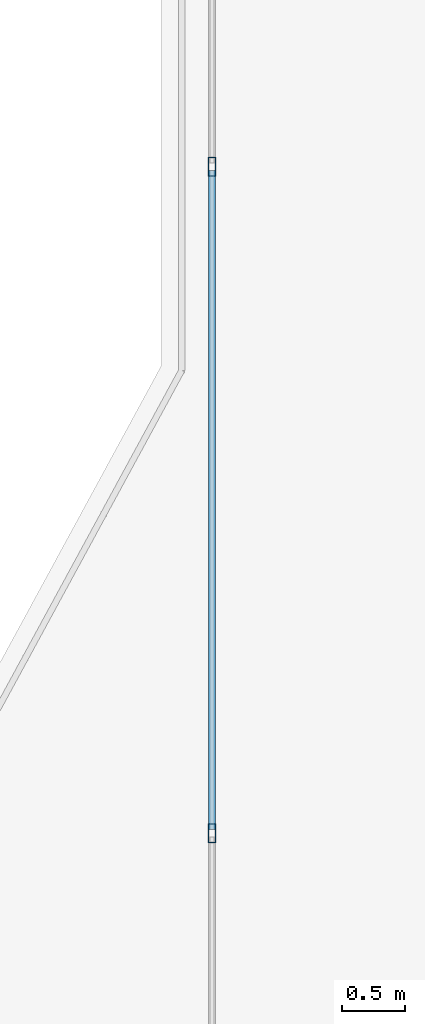
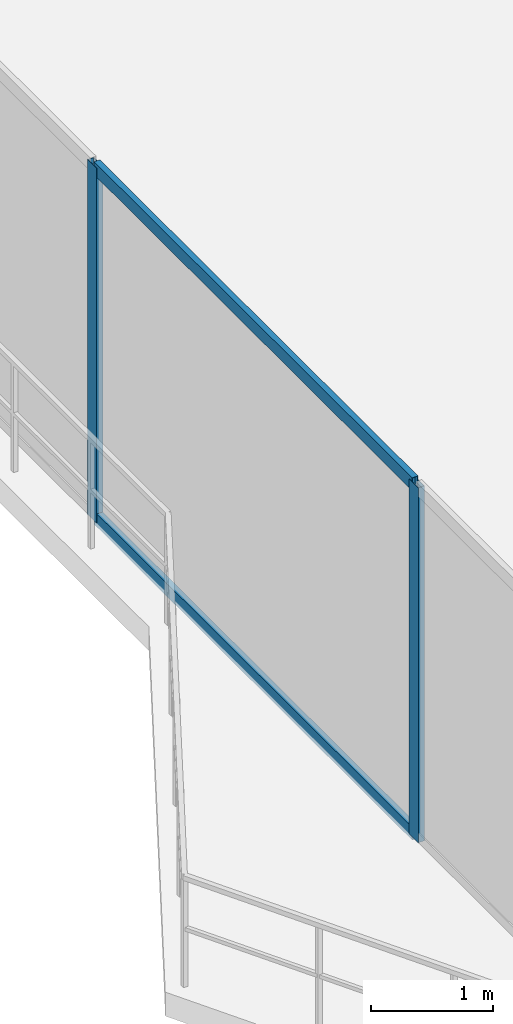
# One storey, part 8 of 27: 4 members, 1 element without a shape of its own.
"""IFC4 building model written with IfcOpenShell, lengths in metres."""

from ifc_helpers import new_model, si_unit, direction, frame, origin, origin_2d, place, context, subcontext, project, spatial, hollow_rectangle, extrude, material, layer, layer_set, material_profile, profile_set, type_object, element, aggregate, save


model = new_model("IFC4")

# Units and contexts
model_context = context("Model", 3, precision=1e-05, world=origin(), true_north=direction((0.0, 1.0)))
body_context = subcontext(model_context, "Body", "Model", "MODEL_VIEW")
ifc_project = project(units=[si_unit("LENGTHUNIT", "METRE"), si_unit("AREAUNIT", "SQUARE_METRE"), si_unit("VOLUMEUNIT", "CUBIC_METRE"), si_unit("PLANEANGLEUNIT", "RADIAN"), si_unit("MASSUNIT", "GRAM", prefix="KILO")], contexts=[model_context])

# Site, building, storey
site_placement = place(None, origin())
site = spatial("IfcSite", under=ifc_project, at=site_placement, CompositionType="ELEMENT")
building_placement = place(site_placement, origin())
building = spatial("IfcBuilding", under=site, at=building_placement, Name="Zuhayl Quay Hotel", CompositionType="ELEMENT")
storey_placement = place(building_placement, frame((0.0, 0.0, 297.25)))
storey = spatial("IfcBuildingStorey", under=building, at=storey_placement, Name="Crown 1", CompositionType="ELEMENT", Elevation=297.25)

# Curtain wall, members
ifc_material_1 = material(Name="Anodised Aluminium 6063-T6", Category="aluminium")
ifc_layer = layer(ifc_material_1, 0.159912109375, Name="Anodised Aluminium 6063-T6", Category="aluminium")
ifc_layer_set = layer_set([ifc_layer], Name="Anodised Aluminium 6063-T6")
curtain_wall_type = type_object("IfcCurtainWallType", Name="CW_SYS_CRN", PredefinedType="USERDEFINED", material=ifc_layer_set)
curtain_wall_placement = place(storey_placement, origin())
curtain_wall = element("IfcCurtainWall", 1, at=curtain_wall_placement, inside=storey, type_object=curtain_wall_type, Name="Crown 1 Curtain Wall ENV_CR1_E1_CW2", ObjectType="UNITISED CURTAIN WALL", PredefinedType="USERDEFINED")
ifc_material_2 = material(Name="Black-anodised aluminium 6063-T6", Category="aluminium")
ifc_material_profile_1 = material_profile(ifc_material_2, hollow_rectangle(XDim=0.06005859375, YDim=0.14990234375, WallThickness=0.00341796875, at=origin_2d()), Name="ALU150X60")
ifc_profile_set_1 = profile_set([ifc_material_profile_1], Name="Black-anodised aluminium 6063-T6")
member_type_1 = type_object("IfcMemberType", Name="MB_CW_MUL_150", PredefinedType="MULLION", material=ifc_profile_set_1)
member_1_placement = place(storey_placement, frame((-19.800048828125, 20.387451171875, 0.0), z_axis=(0.0, 0.0, 1.0), x_axis=(-1.0, 0.0, 0.0)))
member_1 = element("IfcMember", 2, at=member_1_placement, type_object=member_type_1, Name="CW-CRN mullion 2", PredefinedType="MULLION", context=body_context, shape_type="SweptSolid", body=[
    extrude(hollow_rectangle(XDim=0.06005859375, YDim=0.14990234375, WallThickness=0.00341796875, at=origin_2d()), origin(), (0.0, 0.0, 1.0), 3.56005859375),
])
member_2_placement = place(storey_placement, frame((-19.800048828125, 25.675048828125, 0.0), z_axis=(0.0, 0.0, 1.0), x_axis=(-1.0, 0.0, 0.0)))
member_2 = element("IfcMember", 3, at=member_2_placement, type_object=member_type_1, Name="CW-CRN mullion 3", PredefinedType="MULLION", context=body_context, shape_type="SweptSolid", body=[
    extrude(hollow_rectangle(XDim=0.06005859375, YDim=0.14990234375, WallThickness=0.00341796875, at=origin_2d()), origin(), (0.0, 0.0, 1.0), 3.56005859375),
])
ifc_material_profile_2 = material_profile(ifc_material_2, hollow_rectangle(XDim=0.054931640625, YDim=0.1298828125, WallThickness=0.0029296875, at=origin_2d()), Name="ALU130X55")
ifc_profile_set_2 = profile_set([ifc_material_profile_2], Name="Black-anodised aluminium 6063-T6")
member_type_2 = type_object("IfcMemberType", Name="MB_CW_TRN_130", PredefinedType="USERDEFINED", material=ifc_profile_set_2)
member_3_placement = place(storey_placement, frame((-19.800048828125, 20.41748046875, 0.027587890625), z_axis=(0.0, 1.0, 0.0), x_axis=(-1.0, 0.0, 0.0)))
member_3 = element("IfcMember", 4, at=member_3_placement, type_object=member_type_2, Name="CW-CRN transom 2.1", ObjectType="TRANSOM", PredefinedType="USERDEFINED", context=body_context, shape_type="SweptSolid", body=[
    extrude(hollow_rectangle(XDim=0.054931640625, YDim=0.1298828125, WallThickness=0.0029296875, at=origin_2d()), origin(), (0.0, 0.0, 1.0), 5.2275390625),
])
member_4_placement = place(storey_placement, frame((-19.800048828125, 20.41748046875, 3.532470703125), z_axis=(0.0, 1.0, 0.0), x_axis=(-1.0, 0.0, 0.0)))
member_4 = element("IfcMember", 5, at=member_4_placement, type_object=member_type_2, Name="CW-CRN transom 2.2", ObjectType="TRANSOM", PredefinedType="USERDEFINED", context=body_context, shape_type="SweptSolid", body=[
    extrude(hollow_rectangle(XDim=0.054931640625, YDim=0.1298828125, WallThickness=0.0029296875, at=origin_2d()), origin(), (0.0, 0.0, 1.0), 5.2275390625),
])
aggregate(curtain_wall, [member_1, member_2, member_3, member_4])

save(model, "model.ifc")
